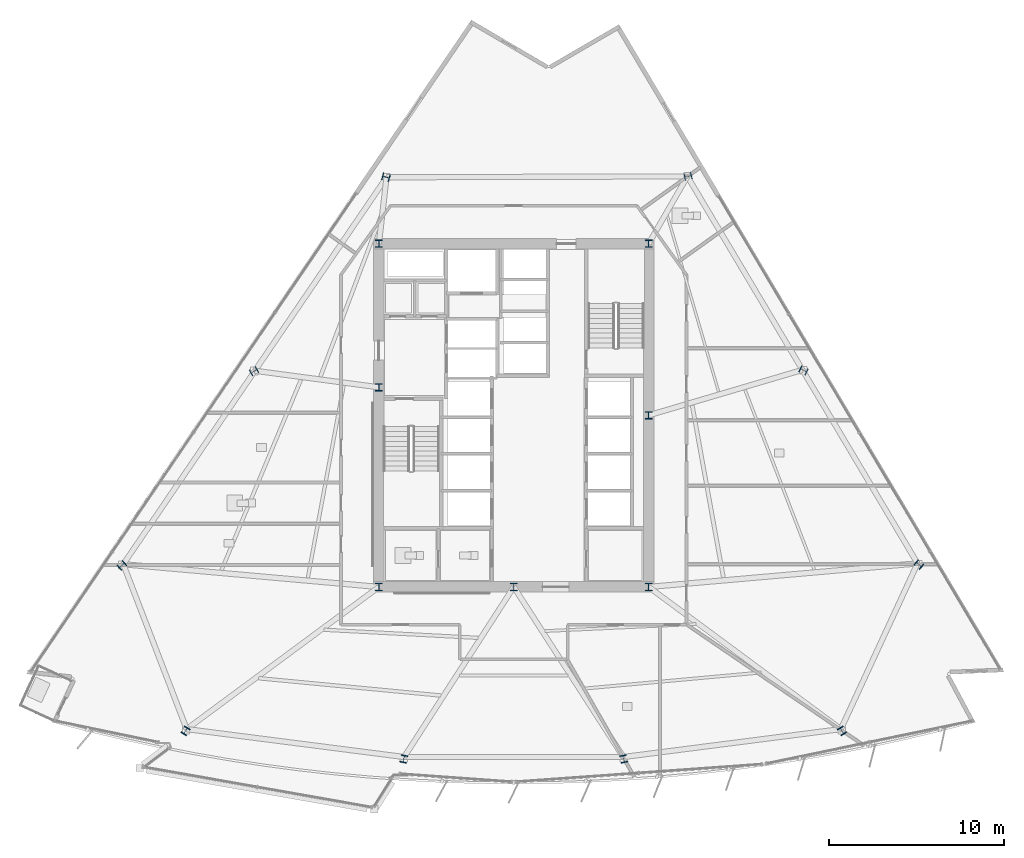
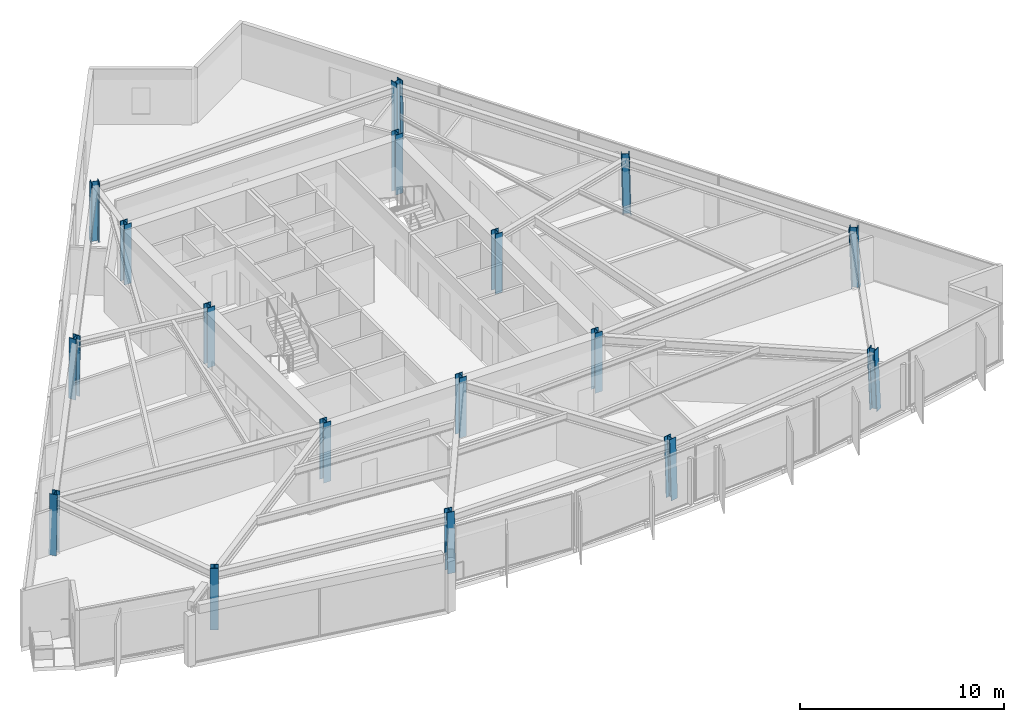
# One storey, part 1 of 15: 17 columns.
"""IFC4 building model written with IfcOpenShell, lengths in metres."""

from ifc_helpers import new_model, si_unit, direction, frame, origin, origin_2d, place, context, subcontext, project, spatial, i_section, extrude, material, material_profile, profile_set, type_object, element, save


model = new_model("IFC4")

# Units and contexts
model_context = context("Model", 3, precision=1e-05, world=origin(), true_north=direction((0.0, 1.0)))
body_context = subcontext(model_context, "Body", "Model", "MODEL_VIEW")
ifc_project = project(units=[si_unit("LENGTHUNIT", "METRE"), si_unit("AREAUNIT", "SQUARE_METRE"), si_unit("VOLUMEUNIT", "CUBIC_METRE"), si_unit("PLANEANGLEUNIT", "RADIAN"), si_unit("MASSUNIT", "GRAM", prefix="KILO")], contexts=[model_context])

# Site, building, storey
site_placement = place(None, origin())
site = spatial("IfcSite", under=ifc_project, at=site_placement, CompositionType="ELEMENT")
building_placement = place(site_placement, origin())
building = spatial("IfcBuilding", under=site, at=building_placement, Name="Savorim Split Tower", CompositionType="ELEMENT")
storey_placement = place(building_placement, frame((0.0, 0.0, 107.699951171875)))
storey = spatial("IfcBuildingStorey", under=building, at=storey_placement, Name="L28", CompositionType="ELEMENT", Elevation=107.699951171875)

# Columns
ifc_material = material(Name="Steel S460", Category="steel")
ifc_material_profile_1 = material_profile(ifc_material, i_section(OverallWidth=0.406005859375, OverallDepth=0.416015625, WebThickness=0.018798828125, FlangeThickness=0.031005859375, FilletRadius=0.014892578125, at=origin_2d()), Name="HD 400x382")
ifc_profile_set_1 = profile_set([ifc_material_profile_1], Name="Steel S460")
column_type_1 = type_object("IfcColumnType", Name="COL-HD-382", PredefinedType="COLUMN", material=ifc_profile_set_1)
column_1_placement = place(storey_placement, frame((-18.751220703125, -17.637939453125, 0.005615234375), z_axis=(0.021207156454, 0.034393657583, 0.999183332944), x_axis=(-0.851195920716, 0.524848077596, 0.0)))
element("IfcColumn", 1, at=column_1_placement, inside=storey, type_object=column_type_1, Name="L28 Tapered Perimeter Column PC-S1", PredefinedType="COLUMN", context=body_context, shape_type="SweptSolid", body=[
    extrude(i_section(OverallWidth=0.406005859375, OverallDepth=0.416015625, WebThickness=0.018798828125, FlangeThickness=0.031005859375, FilletRadius=0.014892578125, at=origin_2d()), origin(), (0.0, 0.0, 1.0), 3.591796875),
])
for number, where, z_axis, x_axis, name in (
    (2, (-6.284423828125, -19.238525390625, 0.005615234375), (0.007070007243, 0.036233787122, 0.999318331498), (-0.981490592026, 0.19151035942, 0.0), "L28 Tapered Perimeter Column PC-S2"),
    (3, (6.284423828125, -19.238525390625, 0.005615234375), (-0.007070007243, 0.036233787122, 0.999318331498), (-0.981490592026, -0.19151035942, 0.0), "L28 Tapered Perimeter Column PC-S3"),
):
    element("IfcColumn", number, at=place(storey_placement, frame(where, z_axis=z_axis, x_axis=x_axis)), inside=storey, type_object=column_type_1, Name=name, PredefinedType="COLUMN", context=body_context, shape_type="SweptSolid", body=[
        extrude(i_section(OverallWidth=0.406005859375, OverallDepth=0.416015625, WebThickness=0.018798828125, FlangeThickness=0.031005859375, FilletRadius=0.014892578125, at=origin_2d()), origin(), (0.0, 0.0, 1.0), 3.59130859375),
    ])
column_2_placement = place(storey_placement, frame((18.751220703125, -17.637939453125, 0.005615234375), z_axis=(-0.021207156454, 0.034393657583, 0.999183332944), x_axis=(-0.851195920716, -0.524848077596, 0.0)))
element("IfcColumn", 4, at=column_2_placement, inside=storey, type_object=column_type_1, Name="L28 Tapered Perimeter Column PC-S4", PredefinedType="COLUMN", context=body_context, shape_type="SweptSolid", body=[
    extrude(i_section(OverallWidth=0.406005859375, OverallDepth=0.416015625, WebThickness=0.018798828125, FlangeThickness=0.031005859375, FilletRadius=0.014892578125, at=origin_2d()), origin(), (0.0, 0.0, 1.0), 3.591796875),
])
column_3_placement = place(storey_placement, frame((23.146728515625, -8.1337890625, 0.005615234375), z_axis=(-0.026854414067, 0.022231375696, 0.99939211843), x_axis=(-0.637687438134, -0.770295223434, 0.0)))
element("IfcColumn", 5, at=column_3_placement, inside=storey, type_object=column_type_1, Name="L28 Tapered Perimeter Column PC-E1", PredefinedType="COLUMN", context=body_context, shape_type="SweptSolid", body=[
    extrude(i_section(OverallWidth=0.406005859375, OverallDepth=0.416015625, WebThickness=0.018798828125, FlangeThickness=0.031005859375, FilletRadius=0.014892578125, at=origin_2d()), origin(), (0.0, 0.0, 1.0), 3.591064453125),
])
column_4_placement = place(storey_placement, frame((16.551513671875, 2.957763671875, 0.005615234375), z_axis=(-0.019451168192, 0.009793595174, 0.999762840652), x_axis=(-0.449710241045, -0.893174506521, 0.0)))
element("IfcColumn", 6, at=column_4_placement, inside=storey, type_object=column_type_1, Name="L28 Tapered Perimeter Column PC-E2", PredefinedType="COLUMN", context=body_context, shape_type="SweptSolid", body=[
    extrude(i_section(OverallWidth=0.406005859375, OverallDepth=0.416015625, WebThickness=0.018798828125, FlangeThickness=0.031005859375, FilletRadius=0.014892578125, at=origin_2d()), origin(), (0.0, 0.0, 1.0), 3.589599609375),
])
for number, where, z_axis, x_axis, name in (
    (7, (9.956298828125, 14.049072265625, 0.005615234375), (-0.012039903353, -0.002584838008, 0.999924176795), (0.209906311695, -0.977721504474, 0.0), "L28 Tapered Perimeter Column PC-E3"),
    (8, (-7.29541015625, 14.000244140625, 0.005615234375), (0.008979199834, -0.002584921164, 0.999956345124), (0.276643622506, 0.960972583442, 0.0), "L28 Tapered Perimeter Column PC-W1"),
):
    element("IfcColumn", number, at=place(storey_placement, frame(where, z_axis=z_axis, x_axis=x_axis)), inside=storey, type_object=column_type_1, Name=name, PredefinedType="COLUMN", context=body_context, shape_type="SweptSolid", body=[
        extrude(i_section(OverallWidth=0.406005859375, OverallDepth=0.416015625, WebThickness=0.018798828125, FlangeThickness=0.031005859375, FilletRadius=0.014892578125, at=origin_2d()), origin(), (0.0, 0.0, 1.0), 3.589111328125),
    ])
column_5_placement = place(storey_placement, frame((-14.8408203125, 2.908935546875, 0.005615234375), z_axis=(0.017479483538, 0.009793951865, 0.999799252931), x_axis=(-0.488810085697, 0.87239022239, 0.0)))
element("IfcColumn", 9, at=column_5_placement, inside=storey, type_object=column_type_1, Name="L28 Tapered Perimeter Column PC-W2", PredefinedType="COLUMN", context=body_context, shape_type="SweptSolid", body=[
    extrude(i_section(OverallWidth=0.406005859375, OverallDepth=0.416015625, WebThickness=0.018798828125, FlangeThickness=0.031005859375, FilletRadius=0.014892578125, at=origin_2d()), origin(), (0.0, 0.0, 1.0), 3.589599609375),
])
column_6_placement = place(storey_placement, frame((-22.385986328125, -8.1826171875, 0.005615234375), z_axis=(0.025903262414, 0.022231933883, 0.999417211235), x_axis=(-0.65128330188, 0.758834672832, 0.0)))
element("IfcColumn", 10, at=column_6_placement, inside=storey, type_object=column_type_1, Name="L28 Tapered Perimeter Column PC-W3", PredefinedType="COLUMN", context=body_context, shape_type="SweptSolid", body=[
    extrude(i_section(OverallWidth=0.406005859375, OverallDepth=0.416015625, WebThickness=0.018798828125, FlangeThickness=0.031005859375, FilletRadius=0.014892578125, at=origin_2d()), origin(), (0.0, 0.0, 1.0), 3.591064453125),
])
ifc_material_profile_2 = material_profile(ifc_material, i_section(OverallWidth=0.408935546875, OverallDepth=0.425048828125, WebThickness=0.020751953125, FlangeThickness=0.033935546875, FilletRadius=0.014892578125, at=origin_2d()), Name="HD 400x421")
ifc_profile_set_2 = profile_set([ifc_material_profile_2], Name="Steel S460")
column_type_2 = type_object("IfcColumnType", Name="COL-HD-421", PredefinedType="COLUMN", material=ifc_profile_set_2)
for number, where, z_axis, x_axis, name in (
    (11, (-7.699951171875, -9.39990234375, 0.0), (0.0, 0.0, 1.0), (1.0, 0.0, 0.0), "L28 Core Structural Column TC-C1"),
    (12, (7.699951171875, -9.39990234375, 0.0), (0.0, 0.0, 1.0), (1.0, 0.0, 0.0), "L28 Core Structural Column TC-C2"),
    (13, (7.699951171875, 10.199951171875, 0.0), (0.0, 0.0, 1.0), (1.0, 0.0, 0.0), "L28 Core Structural Column TC-C3"),
    (14, (-7.699951171875, 10.199951171875, 0.0), (0.0, 0.0, 1.0), (1.0, 0.0, 0.0), "L28 Core Structural Column TC-C4"),
    (15, (0.0, -9.39990234375, 0.0), (0.0, 0.0, 1.0), (1.0, 0.0, 0.0), "L28 Core Structural Column TC-C5"),
    (16, (7.699951171875, 0.39990234375, 0.0), (0.0, 0.0, 1.0), (1.0, 0.0, 0.0), "L28 Core Structural Column TC-C6"),
    (17, (-7.699951171875, 2.0, 0.0), (0.0, 0.0, 1.0), (1.0, 0.0, 0.0), "L28 Core Structural Column TC-C7"),
):
    element("IfcColumn", number, at=place(storey_placement, frame(where, z_axis=z_axis, x_axis=x_axis)), inside=storey, type_object=column_type_2, Name=name, PredefinedType="COLUMN", context=body_context, shape_type="SweptSolid", body=[
        extrude(i_section(OverallWidth=0.408935546875, OverallDepth=0.425048828125, WebThickness=0.020751953125, FlangeThickness=0.033935546875, FilletRadius=0.014892578125, at=origin_2d()), origin(), (0.0, 0.0, 1.0), 3.60009765625),
    ])

save(model, "model.ifc")
